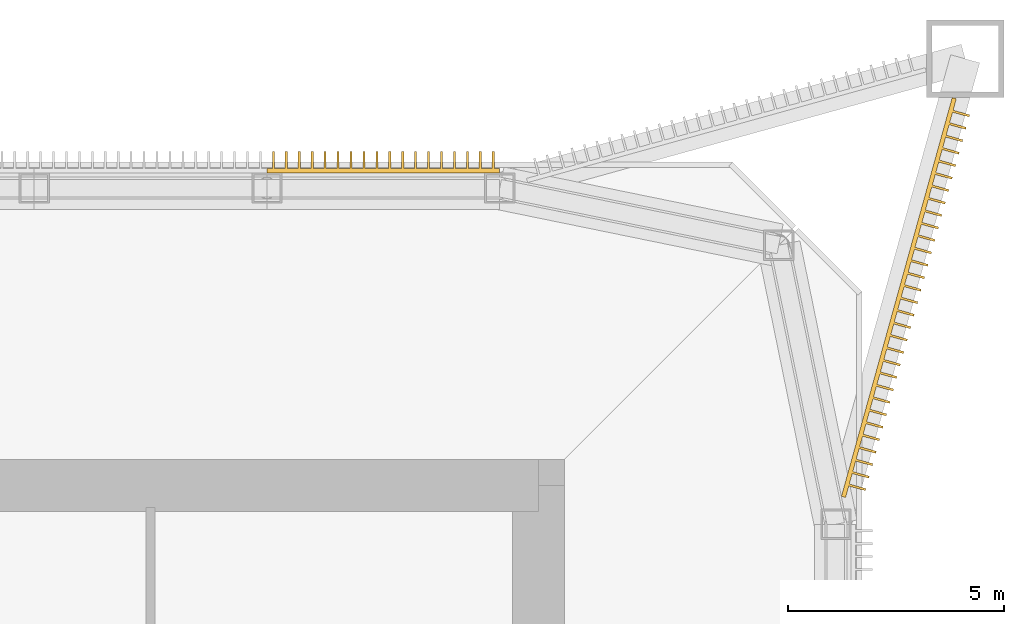
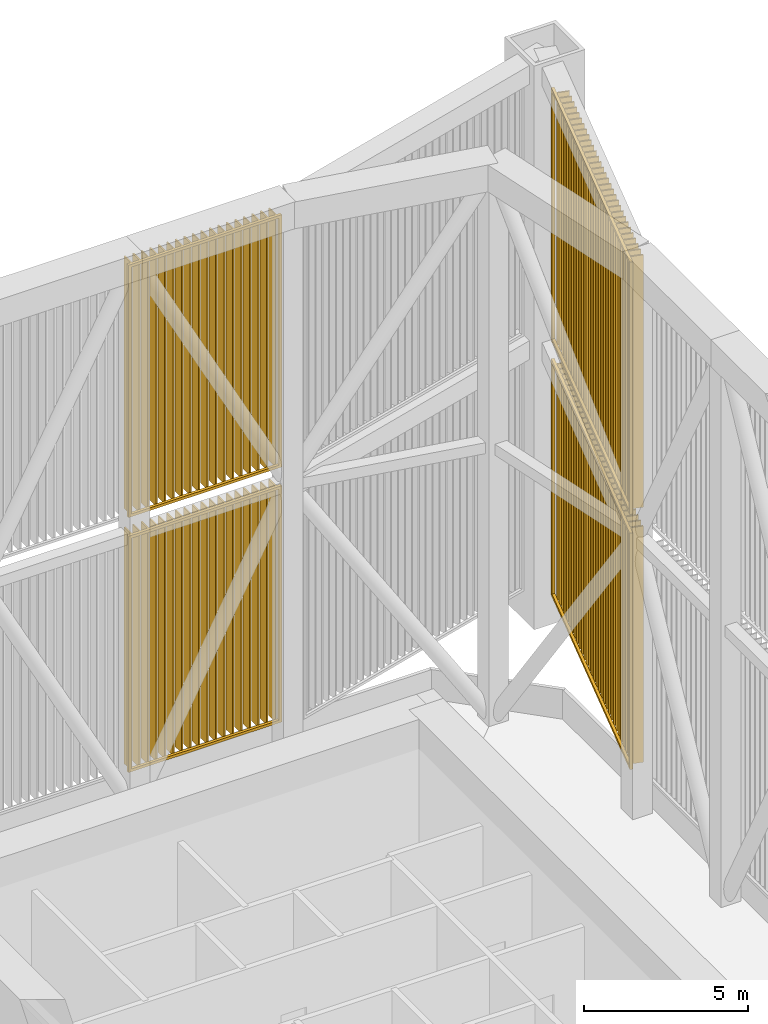
# One storey, part 12 of 13: 4 shading devices.
"""IFC4 building model written with IfcOpenShell, lengths in metres."""

from ifc_helpers import new_model, si_unit, direction, frame, origin, origin_2d, place, context, subcontext, project, spatial, rectangle, extrude, material, layer, layer_set, type_object, element, save


model = new_model("IFC4")

# Units and contexts
model_context = context("Model", 3, precision=1e-05, world=origin(), true_north=direction((0.0, 1.0)))
body_context = subcontext(model_context, "Body", "Model", "MODEL_VIEW")
ifc_project = project(units=[si_unit("LENGTHUNIT", "METRE"), si_unit("AREAUNIT", "SQUARE_METRE"), si_unit("VOLUMEUNIT", "CUBIC_METRE"), si_unit("PLANEANGLEUNIT", "RADIAN"), si_unit("MASSUNIT", "GRAM", prefix="KILO")], contexts=[model_context])

# Site, building, storey
site_placement = place(None, origin())
site = spatial("IfcSite", under=ifc_project, at=site_placement, CompositionType="ELEMENT")
building_placement = place(site_placement, origin())
building = spatial("IfcBuilding", under=site, at=building_placement, Name="Iwan Alto Co-Living Towers", CompositionType="ELEMENT")
storey_placement = place(building_placement, frame((0.0, 0.0, 267.5)))
storey = spatial("IfcBuildingStorey", under=building, at=storey_placement, Name="RF", CompositionType="ELEMENT", Elevation=267.5)

# Shading devices
ifc_material_1 = material(Name="Aluminium 6063-T6 bronze anodised", Category="aluminium")
ifc_layer_1 = layer(ifc_material_1, 0.39990234375, Name="Fins", Category="Finish")
ifc_material_2 = material(Name="Steel ASTM A36 galvanised frame", Category="steel")
ifc_layer_2 = layer(ifc_material_2, 0.10009765625, Name="Panel frame", Category="Framing")
ifc_layer_set_1 = layer_set([ifc_layer_1, ifc_layer_2], Name="CROWN FIN SCREEN CORNER PANEL")
shading_device_type_1 = type_object("IfcShadingDeviceType", Name="CROWN FIN SCREEN CORNER PANEL", PredefinedType="USERDEFINED", material=ifc_layer_set_1)
shading_device_1_placement = place(storey_placement, frame((0.0, 0.0, -267.5)))
element("IfcShadingDevice", 1, at=shading_device_1_placement, inside=storey, type_object=shading_device_type_1, Name="T1 crown fin screen NE-E lower", ObjectType="LOUVER", PredefinedType="USERDEFINED", context=body_context, shape_type="SweptSolid", body=[
    extrude(rectangle(XDim=9.59912109375, YDim=0.10009765625, at=origin_2d()), frame((17.361083984375, 13.3603515625, 268.599853515625), z_axis=(0.0, 0.0, 1.0), x_axis=(0.267643863841, 0.963517909615, 0.0)), (0.0, 0.0, 1.0), 0.10009765625),
    extrude(rectangle(XDim=9.59912109375, YDim=0.10009765625, at=origin_2d()), frame((17.361083984375, 13.3603515625, 277.300048828125), z_axis=(0.0, 0.0, 1.0), x_axis=(0.267643863841, 0.963517909615, 0.0)), (0.0, 0.0, 1.0), 0.10009765625),
    extrude(rectangle(XDim=0.10009765625, YDim=0.10009765625, at=origin_2d()), frame((16.090087890625, 8.7841796875, 268.69482421875), z_axis=(0.0, 0.0, 1.0), x_axis=(0.267643863841, 0.963517909615, 0.0)), (0.0, 0.0, 1.0), 8.610107421875),
    extrude(rectangle(XDim=0.10009765625, YDim=0.10009765625, at=origin_2d()), frame((18.63232421875, 17.9365234375, 268.69482421875), z_axis=(0.0, 0.0, 1.0), x_axis=(0.267643863841, 0.963517909615, 0.0)), (0.0, 0.0, 1.0), 8.610107421875),
    extrude(rectangle(XDim=0.050048828125, YDim=0.405029296875, at=origin_2d()), frame((16.395263671875, 8.958251953125, 268.60009765625), z_axis=(0.0, 0.0, 1.0), x_axis=(0.267643863841, 0.963517909615, 0.0)), (0.0, 0.0, 1.0), 8.800048828125),
    extrude(rectangle(XDim=0.050048828125, YDim=0.405029296875, at=origin_2d()), frame((16.4755859375, 9.247314453125, 268.60009765625), z_axis=(0.0, 0.0, 1.0), x_axis=(0.267643863841, 0.963517909615, 0.0)), (0.0, 0.0, 1.0), 8.800048828125),
    extrude(rectangle(XDim=0.050048828125, YDim=0.405029296875, at=origin_2d()), frame((16.555908203125, 9.536376953125, 268.60009765625), z_axis=(0.0, 0.0, 1.0), x_axis=(0.267643863841, 0.963517909615, 0.0)), (0.0, 0.0, 1.0), 8.800048828125),
    extrude(rectangle(XDim=0.050048828125, YDim=0.405029296875, at=origin_2d()), frame((16.63623046875, 9.825439453125, 268.60009765625), z_axis=(0.0, 0.0, 1.0), x_axis=(0.267643863841, 0.963517909615, 0.0)), (0.0, 0.0, 1.0), 8.800048828125),
    extrude(rectangle(XDim=0.050048828125, YDim=0.405029296875, at=origin_2d()), frame((16.71630859375, 10.114501953125, 268.60009765625), z_axis=(0.0, 0.0, 1.0), x_axis=(0.267643863841, 0.963517909615, 0.0)), (0.0, 0.0, 1.0), 8.800048828125),
    extrude(rectangle(XDim=0.050048828125, YDim=0.405029296875, at=origin_2d()), frame((16.796630859375, 10.403564453125, 268.60009765625), z_axis=(0.0, 0.0, 1.0), x_axis=(0.267643863841, 0.963517909615, 0.0)), (0.0, 0.0, 1.0), 8.800048828125),
    extrude(rectangle(XDim=0.050048828125, YDim=0.405029296875, at=origin_2d()), frame((16.876953125, 10.692626953125, 268.60009765625), z_axis=(0.0, 0.0, 1.0), x_axis=(0.267643863841, 0.963517909615, 0.0)), (0.0, 0.0, 1.0), 8.800048828125),
    extrude(rectangle(XDim=0.050048828125, YDim=0.405029296875, at=origin_2d()), frame((16.957275390625, 10.981689453125, 268.60009765625), z_axis=(0.0, 0.0, 1.0), x_axis=(0.267643863841, 0.963517909615, 0.0)), (0.0, 0.0, 1.0), 8.800048828125),
    extrude(rectangle(XDim=0.050048828125, YDim=0.405029296875, at=origin_2d()), frame((17.03759765625, 11.270751953125, 268.60009765625), z_axis=(0.0, 0.0, 1.0), x_axis=(0.267643863841, 0.963517909615, 0.0)), (0.0, 0.0, 1.0), 8.800048828125),
    extrude(rectangle(XDim=0.050048828125, YDim=0.405029296875, at=origin_2d()), frame((17.117919921875, 11.559814453125, 268.60009765625), z_axis=(0.0, 0.0, 1.0), x_axis=(0.267643863841, 0.963517909615, 0.0)), (0.0, 0.0, 1.0), 8.800048828125),
    extrude(rectangle(XDim=0.050048828125, YDim=0.405029296875, at=origin_2d()), frame((17.1982421875, 11.848876953125, 268.60009765625), z_axis=(0.0, 0.0, 1.0), x_axis=(0.267643863841, 0.963517909615, 0.0)), (0.0, 0.0, 1.0), 8.800048828125),
    extrude(rectangle(XDim=0.050048828125, YDim=0.405029296875, at=origin_2d()), frame((17.278564453125, 12.137939453125, 268.60009765625), z_axis=(0.0, 0.0, 1.0), x_axis=(0.267643863841, 0.963517909615, 0.0)), (0.0, 0.0, 1.0), 8.800048828125),
    extrude(rectangle(XDim=0.050048828125, YDim=0.405029296875, at=origin_2d()), frame((17.35888671875, 12.427001953125, 268.60009765625), z_axis=(0.0, 0.0, 1.0), x_axis=(0.267643863841, 0.963517909615, 0.0)), (0.0, 0.0, 1.0), 8.800048828125),
    extrude(rectangle(XDim=0.050048828125, YDim=0.405029296875, at=origin_2d()), frame((17.439208984375, 12.716064453125, 268.60009765625), z_axis=(0.0, 0.0, 1.0), x_axis=(0.267643863841, 0.963517909615, 0.0)), (0.0, 0.0, 1.0), 8.800048828125),
    extrude(rectangle(XDim=0.050048828125, YDim=0.405029296875, at=origin_2d()), frame((17.519287109375, 13.0048828125, 268.60009765625), z_axis=(0.0, 0.0, 1.0), x_axis=(0.267643863841, 0.963517909615, 0.0)), (0.0, 0.0, 1.0), 8.800048828125),
    extrude(rectangle(XDim=0.050048828125, YDim=0.405029296875, at=origin_2d()), frame((17.599609375, 13.294189453125, 268.60009765625), z_axis=(0.0, 0.0, 1.0), x_axis=(0.267643863841, 0.963517909615, 0.0)), (0.0, 0.0, 1.0), 8.800048828125),
    extrude(rectangle(XDim=0.050048828125, YDim=0.405029296875, at=origin_2d()), frame((17.679931640625, 13.5830078125, 268.60009765625), z_axis=(0.0, 0.0, 1.0), x_axis=(0.267643863841, 0.963517909615, 0.0)), (0.0, 0.0, 1.0), 8.800048828125),
    extrude(rectangle(XDim=0.050048828125, YDim=0.405029296875, at=origin_2d()), frame((17.76025390625, 13.872314453125, 268.60009765625), z_axis=(0.0, 0.0, 1.0), x_axis=(0.267643863841, 0.963517909615, 0.0)), (0.0, 0.0, 1.0), 8.800048828125),
    extrude(rectangle(XDim=0.050048828125, YDim=0.405029296875, at=origin_2d()), frame((17.840576171875, 14.161376953125, 268.60009765625), z_axis=(0.0, 0.0, 1.0), x_axis=(0.267643863841, 0.963517909615, 0.0)), (0.0, 0.0, 1.0), 8.800048828125),
    extrude(rectangle(XDim=0.050048828125, YDim=0.405029296875, at=origin_2d()), frame((17.9208984375, 14.4501953125, 268.60009765625), z_axis=(0.0, 0.0, 1.0), x_axis=(0.267643863841, 0.963517909615, 0.0)), (0.0, 0.0, 1.0), 8.800048828125),
    extrude(rectangle(XDim=0.050048828125, YDim=0.405029296875, at=origin_2d()), frame((18.001220703125, 14.739501953125, 268.60009765625), z_axis=(0.0, 0.0, 1.0), x_axis=(0.267643863841, 0.963517909615, 0.0)), (0.0, 0.0, 1.0), 8.800048828125),
    extrude(rectangle(XDim=0.050048828125, YDim=0.405029296875, at=origin_2d()), frame((18.081298828125, 15.0283203125, 268.60009765625), z_axis=(0.0, 0.0, 1.0), x_axis=(0.267643863841, 0.963517909615, 0.0)), (0.0, 0.0, 1.0), 8.800048828125),
    extrude(rectangle(XDim=0.050048828125, YDim=0.405029296875, at=origin_2d()), frame((18.16162109375, 15.3173828125, 268.60009765625), z_axis=(0.0, 0.0, 1.0), x_axis=(0.267643863841, 0.963517909615, 0.0)), (0.0, 0.0, 1.0), 8.800048828125),
    extrude(rectangle(XDim=0.050048828125, YDim=0.405029296875, at=origin_2d()), frame((18.241943359375, 15.6064453125, 268.60009765625), z_axis=(0.0, 0.0, 1.0), x_axis=(0.267643863841, 0.963517909615, 0.0)), (0.0, 0.0, 1.0), 8.800048828125),
    extrude(rectangle(XDim=0.050048828125, YDim=0.405029296875, at=origin_2d()), frame((18.322265625, 15.8955078125, 268.60009765625), z_axis=(0.0, 0.0, 1.0), x_axis=(0.267643863841, 0.963517909615, 0.0)), (0.0, 0.0, 1.0), 8.800048828125),
    extrude(rectangle(XDim=0.050048828125, YDim=0.405029296875, at=origin_2d()), frame((18.402587890625, 16.1845703125, 268.60009765625), z_axis=(0.0, 0.0, 1.0), x_axis=(0.267643863841, 0.963517909615, 0.0)), (0.0, 0.0, 1.0), 8.800048828125),
    extrude(rectangle(XDim=0.050048828125, YDim=0.405029296875, at=origin_2d()), frame((18.48291015625, 16.4736328125, 268.60009765625), z_axis=(0.0, 0.0, 1.0), x_axis=(0.267643863841, 0.963517909615, 0.0)), (0.0, 0.0, 1.0), 8.800048828125),
    extrude(rectangle(XDim=0.050048828125, YDim=0.405029296875, at=origin_2d()), frame((18.563232421875, 16.7626953125, 268.60009765625), z_axis=(0.0, 0.0, 1.0), x_axis=(0.267643863841, 0.963517909615, 0.0)), (0.0, 0.0, 1.0), 8.800048828125),
    extrude(rectangle(XDim=0.050048828125, YDim=0.405029296875, at=origin_2d()), frame((18.6435546875, 17.0517578125, 268.60009765625), z_axis=(0.0, 0.0, 1.0), x_axis=(0.267643863841, 0.963517909615, 0.0)), (0.0, 0.0, 1.0), 8.800048828125),
    extrude(rectangle(XDim=0.050048828125, YDim=0.405029296875, at=origin_2d()), frame((18.723876953125, 17.3408203125, 268.60009765625), z_axis=(0.0, 0.0, 1.0), x_axis=(0.267643863841, 0.963517909615, 0.0)), (0.0, 0.0, 1.0), 8.800048828125),
    extrude(rectangle(XDim=0.050048828125, YDim=0.405029296875, at=origin_2d()), frame((18.80419921875, 17.6298828125, 268.60009765625), z_axis=(0.0, 0.0, 1.0), x_axis=(0.267643863841, 0.963517909615, 0.0)), (0.0, 0.0, 1.0), 8.800048828125),
])
shading_device_2_placement = place(storey_placement, frame((0.0, 0.0, -267.5)))
element("IfcShadingDevice", 2, at=shading_device_2_placement, inside=storey, type_object=shading_device_type_1, Name="T1 crown fin screen NE-E upper", ObjectType="LOUVER", PredefinedType="USERDEFINED", context=body_context, shape_type="SweptSolid", body=[
    extrude(rectangle(XDim=9.59912109375, YDim=0.10009765625, at=origin_2d()), frame((17.361083984375, 13.3603515625, 278.099853515625), z_axis=(0.0, 0.0, 1.0), x_axis=(0.267643863841, 0.963517909615, 0.0)), (0.0, 0.0, 1.0), 0.10009765625),
    extrude(rectangle(XDim=9.59912109375, YDim=0.10009765625, at=origin_2d()), frame((17.361083984375, 13.3603515625, 287.39990234375), z_axis=(0.0, 0.0, 1.0), x_axis=(0.267643863841, 0.963517909615, 0.0)), (0.0, 0.0, 1.0), 0.10009765625),
    extrude(rectangle(XDim=0.10009765625, YDim=0.10009765625, at=origin_2d()), frame((16.090087890625, 8.7841796875, 278.195068359375), z_axis=(0.0, 0.0, 1.0), x_axis=(0.267643863841, 0.963517909615, 0.0)), (0.0, 0.0, 1.0), 9.2099609375),
    extrude(rectangle(XDim=0.10009765625, YDim=0.10009765625, at=origin_2d()), frame((18.63232421875, 17.9365234375, 278.195068359375), z_axis=(0.0, 0.0, 1.0), x_axis=(0.267643863841, 0.963517909615, 0.0)), (0.0, 0.0, 1.0), 9.2099609375),
    extrude(rectangle(XDim=0.050048828125, YDim=0.405029296875, at=origin_2d()), frame((16.395263671875, 8.958251953125, 278.10009765625), z_axis=(0.0, 0.0, 1.0), x_axis=(0.267643863841, 0.963517909615, 0.0)), (0.0, 0.0, 1.0), 9.39990234375),
    extrude(rectangle(XDim=0.050048828125, YDim=0.405029296875, at=origin_2d()), frame((16.4755859375, 9.247314453125, 278.10009765625), z_axis=(0.0, 0.0, 1.0), x_axis=(0.267643863841, 0.963517909615, 0.0)), (0.0, 0.0, 1.0), 9.39990234375),
    extrude(rectangle(XDim=0.050048828125, YDim=0.405029296875, at=origin_2d()), frame((16.555908203125, 9.536376953125, 278.10009765625), z_axis=(0.0, 0.0, 1.0), x_axis=(0.267643863841, 0.963517909615, 0.0)), (0.0, 0.0, 1.0), 9.39990234375),
    extrude(rectangle(XDim=0.050048828125, YDim=0.405029296875, at=origin_2d()), frame((16.63623046875, 9.825439453125, 278.10009765625), z_axis=(0.0, 0.0, 1.0), x_axis=(0.267643863841, 0.963517909615, 0.0)), (0.0, 0.0, 1.0), 9.39990234375),
    extrude(rectangle(XDim=0.050048828125, YDim=0.405029296875, at=origin_2d()), frame((16.71630859375, 10.114501953125, 278.10009765625), z_axis=(0.0, 0.0, 1.0), x_axis=(0.267643863841, 0.963517909615, 0.0)), (0.0, 0.0, 1.0), 9.39990234375),
    extrude(rectangle(XDim=0.050048828125, YDim=0.405029296875, at=origin_2d()), frame((16.796630859375, 10.403564453125, 278.10009765625), z_axis=(0.0, 0.0, 1.0), x_axis=(0.267643863841, 0.963517909615, 0.0)), (0.0, 0.0, 1.0), 9.39990234375),
    extrude(rectangle(XDim=0.050048828125, YDim=0.405029296875, at=origin_2d()), frame((16.876953125, 10.692626953125, 278.10009765625), z_axis=(0.0, 0.0, 1.0), x_axis=(0.267643863841, 0.963517909615, 0.0)), (0.0, 0.0, 1.0), 9.39990234375),
    extrude(rectangle(XDim=0.050048828125, YDim=0.405029296875, at=origin_2d()), frame((16.957275390625, 10.981689453125, 278.10009765625), z_axis=(0.0, 0.0, 1.0), x_axis=(0.267643863841, 0.963517909615, 0.0)), (0.0, 0.0, 1.0), 9.39990234375),
    extrude(rectangle(XDim=0.050048828125, YDim=0.405029296875, at=origin_2d()), frame((17.03759765625, 11.270751953125, 278.10009765625), z_axis=(0.0, 0.0, 1.0), x_axis=(0.267643863841, 0.963517909615, 0.0)), (0.0, 0.0, 1.0), 9.39990234375),
    extrude(rectangle(XDim=0.050048828125, YDim=0.405029296875, at=origin_2d()), frame((17.117919921875, 11.559814453125, 278.10009765625), z_axis=(0.0, 0.0, 1.0), x_axis=(0.267643863841, 0.963517909615, 0.0)), (0.0, 0.0, 1.0), 9.39990234375),
    extrude(rectangle(XDim=0.050048828125, YDim=0.405029296875, at=origin_2d()), frame((17.1982421875, 11.848876953125, 278.10009765625), z_axis=(0.0, 0.0, 1.0), x_axis=(0.267643863841, 0.963517909615, 0.0)), (0.0, 0.0, 1.0), 9.39990234375),
    extrude(rectangle(XDim=0.050048828125, YDim=0.405029296875, at=origin_2d()), frame((17.278564453125, 12.137939453125, 278.10009765625), z_axis=(0.0, 0.0, 1.0), x_axis=(0.267643863841, 0.963517909615, 0.0)), (0.0, 0.0, 1.0), 9.39990234375),
    extrude(rectangle(XDim=0.050048828125, YDim=0.405029296875, at=origin_2d()), frame((17.35888671875, 12.427001953125, 278.10009765625), z_axis=(0.0, 0.0, 1.0), x_axis=(0.267643863841, 0.963517909615, 0.0)), (0.0, 0.0, 1.0), 9.39990234375),
    extrude(rectangle(XDim=0.050048828125, YDim=0.405029296875, at=origin_2d()), frame((17.439208984375, 12.716064453125, 278.10009765625), z_axis=(0.0, 0.0, 1.0), x_axis=(0.267643863841, 0.963517909615, 0.0)), (0.0, 0.0, 1.0), 9.39990234375),
    extrude(rectangle(XDim=0.050048828125, YDim=0.405029296875, at=origin_2d()), frame((17.519287109375, 13.0048828125, 278.10009765625), z_axis=(0.0, 0.0, 1.0), x_axis=(0.267643863841, 0.963517909615, 0.0)), (0.0, 0.0, 1.0), 9.39990234375),
    extrude(rectangle(XDim=0.050048828125, YDim=0.405029296875, at=origin_2d()), frame((17.599609375, 13.294189453125, 278.10009765625), z_axis=(0.0, 0.0, 1.0), x_axis=(0.267643863841, 0.963517909615, 0.0)), (0.0, 0.0, 1.0), 9.39990234375),
    extrude(rectangle(XDim=0.050048828125, YDim=0.405029296875, at=origin_2d()), frame((17.679931640625, 13.5830078125, 278.10009765625), z_axis=(0.0, 0.0, 1.0), x_axis=(0.267643863841, 0.963517909615, 0.0)), (0.0, 0.0, 1.0), 9.39990234375),
    extrude(rectangle(XDim=0.050048828125, YDim=0.405029296875, at=origin_2d()), frame((17.76025390625, 13.872314453125, 278.10009765625), z_axis=(0.0, 0.0, 1.0), x_axis=(0.267643863841, 0.963517909615, 0.0)), (0.0, 0.0, 1.0), 9.39990234375),
    extrude(rectangle(XDim=0.050048828125, YDim=0.405029296875, at=origin_2d()), frame((17.840576171875, 14.161376953125, 278.10009765625), z_axis=(0.0, 0.0, 1.0), x_axis=(0.267643863841, 0.963517909615, 0.0)), (0.0, 0.0, 1.0), 9.39990234375),
    extrude(rectangle(XDim=0.050048828125, YDim=0.405029296875, at=origin_2d()), frame((17.9208984375, 14.4501953125, 278.10009765625), z_axis=(0.0, 0.0, 1.0), x_axis=(0.267643863841, 0.963517909615, 0.0)), (0.0, 0.0, 1.0), 9.39990234375),
    extrude(rectangle(XDim=0.050048828125, YDim=0.405029296875, at=origin_2d()), frame((18.001220703125, 14.739501953125, 278.10009765625), z_axis=(0.0, 0.0, 1.0), x_axis=(0.267643863841, 0.963517909615, 0.0)), (0.0, 0.0, 1.0), 9.39990234375),
    extrude(rectangle(XDim=0.050048828125, YDim=0.405029296875, at=origin_2d()), frame((18.081298828125, 15.0283203125, 278.10009765625), z_axis=(0.0, 0.0, 1.0), x_axis=(0.267643863841, 0.963517909615, 0.0)), (0.0, 0.0, 1.0), 9.39990234375),
    extrude(rectangle(XDim=0.050048828125, YDim=0.405029296875, at=origin_2d()), frame((18.16162109375, 15.3173828125, 278.10009765625), z_axis=(0.0, 0.0, 1.0), x_axis=(0.267643863841, 0.963517909615, 0.0)), (0.0, 0.0, 1.0), 9.39990234375),
    extrude(rectangle(XDim=0.050048828125, YDim=0.405029296875, at=origin_2d()), frame((18.241943359375, 15.6064453125, 278.10009765625), z_axis=(0.0, 0.0, 1.0), x_axis=(0.267643863841, 0.963517909615, 0.0)), (0.0, 0.0, 1.0), 9.39990234375),
    extrude(rectangle(XDim=0.050048828125, YDim=0.405029296875, at=origin_2d()), frame((18.322265625, 15.8955078125, 278.10009765625), z_axis=(0.0, 0.0, 1.0), x_axis=(0.267643863841, 0.963517909615, 0.0)), (0.0, 0.0, 1.0), 9.39990234375),
    extrude(rectangle(XDim=0.050048828125, YDim=0.405029296875, at=origin_2d()), frame((18.402587890625, 16.1845703125, 278.10009765625), z_axis=(0.0, 0.0, 1.0), x_axis=(0.267643863841, 0.963517909615, 0.0)), (0.0, 0.0, 1.0), 9.39990234375),
    extrude(rectangle(XDim=0.050048828125, YDim=0.405029296875, at=origin_2d()), frame((18.48291015625, 16.4736328125, 278.10009765625), z_axis=(0.0, 0.0, 1.0), x_axis=(0.267643863841, 0.963517909615, 0.0)), (0.0, 0.0, 1.0), 9.39990234375),
    extrude(rectangle(XDim=0.050048828125, YDim=0.405029296875, at=origin_2d()), frame((18.563232421875, 16.7626953125, 278.10009765625), z_axis=(0.0, 0.0, 1.0), x_axis=(0.267643863841, 0.963517909615, 0.0)), (0.0, 0.0, 1.0), 9.39990234375),
    extrude(rectangle(XDim=0.050048828125, YDim=0.405029296875, at=origin_2d()), frame((18.6435546875, 17.0517578125, 278.10009765625), z_axis=(0.0, 0.0, 1.0), x_axis=(0.267643863841, 0.963517909615, 0.0)), (0.0, 0.0, 1.0), 9.39990234375),
    extrude(rectangle(XDim=0.050048828125, YDim=0.405029296875, at=origin_2d()), frame((18.723876953125, 17.3408203125, 278.10009765625), z_axis=(0.0, 0.0, 1.0), x_axis=(0.267643863841, 0.963517909615, 0.0)), (0.0, 0.0, 1.0), 9.39990234375),
    extrude(rectangle(XDim=0.050048828125, YDim=0.405029296875, at=origin_2d()), frame((18.80419921875, 17.6298828125, 278.10009765625), z_axis=(0.0, 0.0, 1.0), x_axis=(0.267643863841, 0.963517909615, 0.0)), (0.0, 0.0, 1.0), 9.39990234375),
])
ifc_layer_3 = layer(ifc_material_1, 0.39990234375, Name="Fins", Category="Finish")
ifc_layer_4 = layer(ifc_material_2, 0.10009765625, Name="Panel frame", Category="Framing")
ifc_layer_set_2 = layer_set([ifc_layer_3, ifc_layer_4], Name="CROWN FIN SCREEN PANEL")
shading_device_type_2 = type_object("IfcShadingDeviceType", Name="CROWN FIN SCREEN PANEL", PredefinedType="USERDEFINED", material=ifc_layer_set_2)
shading_device_3_placement = place(storey_placement, frame((0.0, 0.0, -267.5)))
element("IfcShadingDevice", 3, at=shading_device_3_placement, inside=storey, type_object=shading_device_type_2, Name="T1 crown fin screen N-01 lower", ObjectType="LOUVER", PredefinedType="USERDEFINED", context=body_context, shape_type="SweptSolid", body=[
    extrude(rectangle(XDim=5.39990234375, YDim=0.10009765625, at=origin_2d()), frame((5.39990234375, 16.300048828125, 268.599853515625), z_axis=(0.0, 0.0, 1.0), x_axis=(-1.0, 0.0, 0.0)), (0.0, 0.0, 1.0), 0.10009765625),
    extrude(rectangle(XDim=5.39990234375, YDim=0.10009765625, at=origin_2d()), frame((5.39990234375, 16.300048828125, 277.300048828125), z_axis=(0.0, 0.0, 1.0), x_axis=(-1.0, 0.0, 0.0)), (0.0, 0.0, 1.0), 0.10009765625),
    extrude(rectangle(XDim=0.10009765625, YDim=0.10009765625, at=origin_2d()), frame((8.050048828125, 16.300048828125, 268.69482421875), z_axis=(0.0, 0.0, 1.0), x_axis=(-1.0, 0.0, 0.0)), (0.0, 0.0, 1.0), 8.610107421875),
    extrude(rectangle(XDim=0.10009765625, YDim=0.10009765625, at=origin_2d()), frame((2.75, 16.300048828125, 268.69482421875), z_axis=(0.0, 0.0, 1.0), x_axis=(-1.0, 0.0, 0.0)), (0.0, 0.0, 1.0), 8.610107421875),
    extrude(rectangle(XDim=0.050048828125, YDim=0.405029296875, at=origin_2d()), frame((7.949951171875, 16.547607421875, 268.60009765625), z_axis=(0.0, 0.0, 1.0), x_axis=(-1.0, 0.0, 0.0)), (0.0, 0.0, 1.0), 8.800048828125),
    extrude(rectangle(XDim=0.050048828125, YDim=0.405029296875, at=origin_2d()), frame((7.64990234375, 16.547607421875, 268.60009765625), z_axis=(0.0, 0.0, 1.0), x_axis=(-1.0, 0.0, 0.0)), (0.0, 0.0, 1.0), 8.800048828125),
    extrude(rectangle(XDim=0.050048828125, YDim=0.405029296875, at=origin_2d()), frame((7.35009765625, 16.547607421875, 268.60009765625), z_axis=(0.0, 0.0, 1.0), x_axis=(-1.0, 0.0, 0.0)), (0.0, 0.0, 1.0), 8.800048828125),
    extrude(rectangle(XDim=0.050048828125, YDim=0.405029296875, at=origin_2d()), frame((7.050048828125, 16.547607421875, 268.60009765625), z_axis=(0.0, 0.0, 1.0), x_axis=(-1.0, 0.0, 0.0)), (0.0, 0.0, 1.0), 8.800048828125),
    extrude(rectangle(XDim=0.050048828125, YDim=0.405029296875, at=origin_2d()), frame((6.75, 16.547607421875, 268.60009765625), z_axis=(0.0, 0.0, 1.0), x_axis=(-1.0, 0.0, 0.0)), (0.0, 0.0, 1.0), 8.800048828125),
    extrude(rectangle(XDim=0.050048828125, YDim=0.405029296875, at=origin_2d()), frame((6.449951171875, 16.547607421875, 268.60009765625), z_axis=(0.0, 0.0, 1.0), x_axis=(-1.0, 0.0, 0.0)), (0.0, 0.0, 1.0), 8.800048828125),
    extrude(rectangle(XDim=0.050048828125, YDim=0.405029296875, at=origin_2d()), frame((6.14990234375, 16.547607421875, 268.60009765625), z_axis=(0.0, 0.0, 1.0), x_axis=(-1.0, 0.0, 0.0)), (0.0, 0.0, 1.0), 8.800048828125),
    extrude(rectangle(XDim=0.050048828125, YDim=0.405029296875, at=origin_2d()), frame((5.85009765625, 16.547607421875, 268.60009765625), z_axis=(0.0, 0.0, 1.0), x_axis=(-1.0, 0.0, 0.0)), (0.0, 0.0, 1.0), 8.800048828125),
    extrude(rectangle(XDim=0.050048828125, YDim=0.405029296875, at=origin_2d()), frame((5.550048828125, 16.547607421875, 268.60009765625), z_axis=(0.0, 0.0, 1.0), x_axis=(-1.0, 0.0, 0.0)), (0.0, 0.0, 1.0), 8.800048828125),
    extrude(rectangle(XDim=0.050048828125, YDim=0.405029296875, at=origin_2d()), frame((5.25, 16.547607421875, 268.60009765625), z_axis=(0.0, 0.0, 1.0), x_axis=(-1.0, 0.0, 0.0)), (0.0, 0.0, 1.0), 8.800048828125),
    extrude(rectangle(XDim=0.050048828125, YDim=0.405029296875, at=origin_2d()), frame((4.949951171875, 16.547607421875, 268.60009765625), z_axis=(0.0, 0.0, 1.0), x_axis=(-1.0, 0.0, 0.0)), (0.0, 0.0, 1.0), 8.800048828125),
    extrude(rectangle(XDim=0.050048828125, YDim=0.405029296875, at=origin_2d()), frame((4.64990234375, 16.547607421875, 268.60009765625), z_axis=(0.0, 0.0, 1.0), x_axis=(-1.0, 0.0, 0.0)), (0.0, 0.0, 1.0), 8.800048828125),
    extrude(rectangle(XDim=0.050048828125, YDim=0.405029296875, at=origin_2d()), frame((4.35009765625, 16.547607421875, 268.60009765625), z_axis=(0.0, 0.0, 1.0), x_axis=(-1.0, 0.0, 0.0)), (0.0, 0.0, 1.0), 8.800048828125),
    extrude(rectangle(XDim=0.050048828125, YDim=0.405029296875, at=origin_2d()), frame((4.050048828125, 16.547607421875, 268.60009765625), z_axis=(0.0, 0.0, 1.0), x_axis=(-1.0, 0.0, 0.0)), (0.0, 0.0, 1.0), 8.800048828125),
    extrude(rectangle(XDim=0.050048828125, YDim=0.405029296875, at=origin_2d()), frame((3.75, 16.547607421875, 268.60009765625), z_axis=(0.0, 0.0, 1.0), x_axis=(-1.0, 0.0, 0.0)), (0.0, 0.0, 1.0), 8.800048828125),
    extrude(rectangle(XDim=0.050048828125, YDim=0.405029296875, at=origin_2d()), frame((3.449951171875, 16.547607421875, 268.60009765625), z_axis=(0.0, 0.0, 1.0), x_axis=(-1.0, 0.0, 0.0)), (0.0, 0.0, 1.0), 8.800048828125),
    extrude(rectangle(XDim=0.050048828125, YDim=0.405029296875, at=origin_2d()), frame((3.14990234375, 16.547607421875, 268.60009765625), z_axis=(0.0, 0.0, 1.0), x_axis=(-1.0, 0.0, 0.0)), (0.0, 0.0, 1.0), 8.800048828125),
    extrude(rectangle(XDim=0.050048828125, YDim=0.405029296875, at=origin_2d()), frame((2.85009765625, 16.547607421875, 268.60009765625), z_axis=(0.0, 0.0, 1.0), x_axis=(-1.0, 0.0, 0.0)), (0.0, 0.0, 1.0), 8.800048828125),
])
shading_device_4_placement = place(storey_placement, frame((0.0, 0.0, -267.5)))
element("IfcShadingDevice", 4, at=shading_device_4_placement, inside=storey, type_object=shading_device_type_2, Name="T1 crown fin screen N-01 upper", ObjectType="LOUVER", PredefinedType="USERDEFINED", context=body_context, shape_type="SweptSolid", body=[
    extrude(rectangle(XDim=5.39990234375, YDim=0.10009765625, at=origin_2d()), frame((5.39990234375, 16.300048828125, 278.099853515625), z_axis=(0.0, 0.0, 1.0), x_axis=(-1.0, 0.0, 0.0)), (0.0, 0.0, 1.0), 0.10009765625),
    extrude(rectangle(XDim=5.39990234375, YDim=0.10009765625, at=origin_2d()), frame((5.39990234375, 16.300048828125, 287.39990234375), z_axis=(0.0, 0.0, 1.0), x_axis=(-1.0, 0.0, 0.0)), (0.0, 0.0, 1.0), 0.10009765625),
    extrude(rectangle(XDim=0.10009765625, YDim=0.10009765625, at=origin_2d()), frame((8.050048828125, 16.300048828125, 278.195068359375), z_axis=(0.0, 0.0, 1.0), x_axis=(-1.0, 0.0, 0.0)), (0.0, 0.0, 1.0), 9.2099609375),
    extrude(rectangle(XDim=0.10009765625, YDim=0.10009765625, at=origin_2d()), frame((2.75, 16.300048828125, 278.195068359375), z_axis=(0.0, 0.0, 1.0), x_axis=(-1.0, 0.0, 0.0)), (0.0, 0.0, 1.0), 9.2099609375),
    extrude(rectangle(XDim=0.050048828125, YDim=0.405029296875, at=origin_2d()), frame((7.949951171875, 16.547607421875, 278.10009765625), z_axis=(0.0, 0.0, 1.0), x_axis=(-1.0, 0.0, 0.0)), (0.0, 0.0, 1.0), 9.39990234375),
    extrude(rectangle(XDim=0.050048828125, YDim=0.405029296875, at=origin_2d()), frame((7.64990234375, 16.547607421875, 278.10009765625), z_axis=(0.0, 0.0, 1.0), x_axis=(-1.0, 0.0, 0.0)), (0.0, 0.0, 1.0), 9.39990234375),
    extrude(rectangle(XDim=0.050048828125, YDim=0.405029296875, at=origin_2d()), frame((7.35009765625, 16.547607421875, 278.10009765625), z_axis=(0.0, 0.0, 1.0), x_axis=(-1.0, 0.0, 0.0)), (0.0, 0.0, 1.0), 9.39990234375),
    extrude(rectangle(XDim=0.050048828125, YDim=0.405029296875, at=origin_2d()), frame((7.050048828125, 16.547607421875, 278.10009765625), z_axis=(0.0, 0.0, 1.0), x_axis=(-1.0, 0.0, 0.0)), (0.0, 0.0, 1.0), 9.39990234375),
    extrude(rectangle(XDim=0.050048828125, YDim=0.405029296875, at=origin_2d()), frame((6.75, 16.547607421875, 278.10009765625), z_axis=(0.0, 0.0, 1.0), x_axis=(-1.0, 0.0, 0.0)), (0.0, 0.0, 1.0), 9.39990234375),
    extrude(rectangle(XDim=0.050048828125, YDim=0.405029296875, at=origin_2d()), frame((6.449951171875, 16.547607421875, 278.10009765625), z_axis=(0.0, 0.0, 1.0), x_axis=(-1.0, 0.0, 0.0)), (0.0, 0.0, 1.0), 9.39990234375),
    extrude(rectangle(XDim=0.050048828125, YDim=0.405029296875, at=origin_2d()), frame((6.14990234375, 16.547607421875, 278.10009765625), z_axis=(0.0, 0.0, 1.0), x_axis=(-1.0, 0.0, 0.0)), (0.0, 0.0, 1.0), 9.39990234375),
    extrude(rectangle(XDim=0.050048828125, YDim=0.405029296875, at=origin_2d()), frame((5.85009765625, 16.547607421875, 278.10009765625), z_axis=(0.0, 0.0, 1.0), x_axis=(-1.0, 0.0, 0.0)), (0.0, 0.0, 1.0), 9.39990234375),
    extrude(rectangle(XDim=0.050048828125, YDim=0.405029296875, at=origin_2d()), frame((5.550048828125, 16.547607421875, 278.10009765625), z_axis=(0.0, 0.0, 1.0), x_axis=(-1.0, 0.0, 0.0)), (0.0, 0.0, 1.0), 9.39990234375),
    extrude(rectangle(XDim=0.050048828125, YDim=0.405029296875, at=origin_2d()), frame((5.25, 16.547607421875, 278.10009765625), z_axis=(0.0, 0.0, 1.0), x_axis=(-1.0, 0.0, 0.0)), (0.0, 0.0, 1.0), 9.39990234375),
    extrude(rectangle(XDim=0.050048828125, YDim=0.405029296875, at=origin_2d()), frame((4.949951171875, 16.547607421875, 278.10009765625), z_axis=(0.0, 0.0, 1.0), x_axis=(-1.0, 0.0, 0.0)), (0.0, 0.0, 1.0), 9.39990234375),
    extrude(rectangle(XDim=0.050048828125, YDim=0.405029296875, at=origin_2d()), frame((4.64990234375, 16.547607421875, 278.10009765625), z_axis=(0.0, 0.0, 1.0), x_axis=(-1.0, 0.0, 0.0)), (0.0, 0.0, 1.0), 9.39990234375),
    extrude(rectangle(XDim=0.050048828125, YDim=0.405029296875, at=origin_2d()), frame((4.35009765625, 16.547607421875, 278.10009765625), z_axis=(0.0, 0.0, 1.0), x_axis=(-1.0, 0.0, 0.0)), (0.0, 0.0, 1.0), 9.39990234375),
    extrude(rectangle(XDim=0.050048828125, YDim=0.405029296875, at=origin_2d()), frame((4.050048828125, 16.547607421875, 278.10009765625), z_axis=(0.0, 0.0, 1.0), x_axis=(-1.0, 0.0, 0.0)), (0.0, 0.0, 1.0), 9.39990234375),
    extrude(rectangle(XDim=0.050048828125, YDim=0.405029296875, at=origin_2d()), frame((3.75, 16.547607421875, 278.10009765625), z_axis=(0.0, 0.0, 1.0), x_axis=(-1.0, 0.0, 0.0)), (0.0, 0.0, 1.0), 9.39990234375),
    extrude(rectangle(XDim=0.050048828125, YDim=0.405029296875, at=origin_2d()), frame((3.449951171875, 16.547607421875, 278.10009765625), z_axis=(0.0, 0.0, 1.0), x_axis=(-1.0, 0.0, 0.0)), (0.0, 0.0, 1.0), 9.39990234375),
    extrude(rectangle(XDim=0.050048828125, YDim=0.405029296875, at=origin_2d()), frame((3.14990234375, 16.547607421875, 278.10009765625), z_axis=(0.0, 0.0, 1.0), x_axis=(-1.0, 0.0, 0.0)), (0.0, 0.0, 1.0), 9.39990234375),
    extrude(rectangle(XDim=0.050048828125, YDim=0.405029296875, at=origin_2d()), frame((2.85009765625, 16.547607421875, 278.10009765625), z_axis=(0.0, 0.0, 1.0), x_axis=(-1.0, 0.0, 0.0)), (0.0, 0.0, 1.0), 9.39990234375),
])

save(model, "model.ifc")
